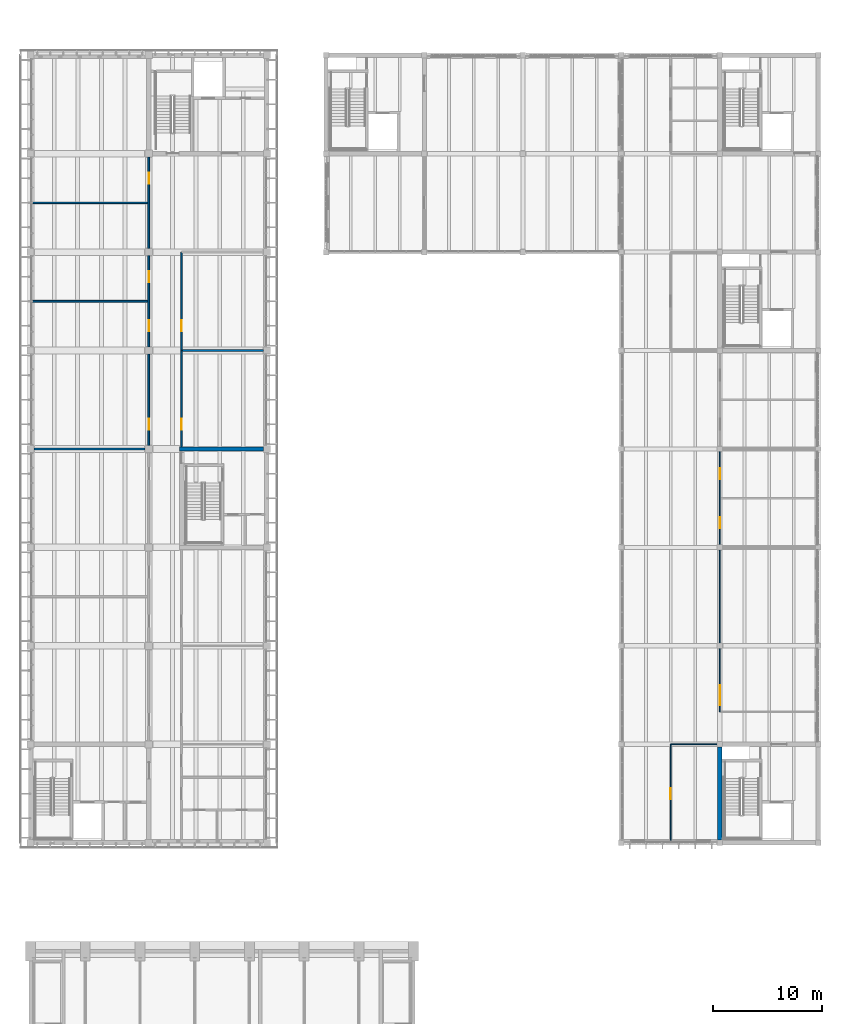
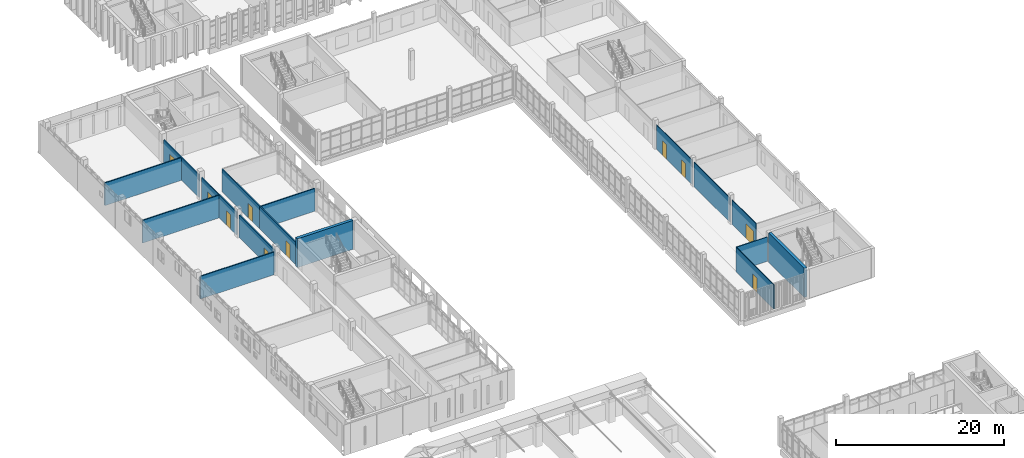
# One storey, part 53 of 92: 16 walls, 10 doors, 10 openings.
"""IFC4 building model written with IfcOpenShell, lengths in metres."""

from ifc_helpers import new_model, si_unit, direction, frame, frame_2d, origin, place, context, subcontext, project, spatial, rectangle, extrude, material, layer, layer_set, type_object, element, fill, save


model = new_model("IFC4")

# Units and contexts
model_context = context("Model", 3, precision=1e-05, world=origin(), true_north=direction((0.0, 1.0)))
body_context = subcontext(model_context, "Body", "Model", "MODEL_VIEW")
ifc_project = project(units=[si_unit("LENGTHUNIT", "METRE"), si_unit("AREAUNIT", "SQUARE_METRE"), si_unit("VOLUMEUNIT", "CUBIC_METRE"), si_unit("PLANEANGLEUNIT", "RADIAN"), si_unit("MASSUNIT", "GRAM", prefix="KILO")], contexts=[model_context])

# Site, building, storey
site_placement = place(None, origin())
site = spatial("IfcSite", under=ifc_project, at=site_placement, CompositionType="ELEMENT")
building_placement = place(site_placement, origin())
building = spatial("IfcBuilding", under=site, at=building_placement, Name="Merrow Basin Faculty of Sciences", CompositionType="ELEMENT")
storey_placement = place(building_placement, frame((0.0, 0.0, 4.5)))
storey = spatial("IfcBuildingStorey", under=building, at=storey_placement, Name="L01", CompositionType="ELEMENT", Elevation=4.5)

# Wall, opening, door
ifc_material_1 = material(Name="Fire-rated gypsum board")
ifc_layer_1 = layer(ifc_material_1, 0.14990234375)
ifc_layer_set_1 = layer_set([ifc_layer_1], Name="Corridor partition 150 fire-rated board on steel studs")
wall_type_1 = type_object("IfcWallType", Name="Corridor partition 150 fire-rated board on steel studs", PredefinedType="PARTITIONING", material=ifc_layer_set_1)
wall_1_placement = place(storey_placement, frame((13.800048828125, 106.0, 0.0), z_axis=(0.0, 0.0, 1.0), x_axis=(0.0, 1.0, 0.0)))
wall_1 = element("IfcWall", 1, at=wall_1_placement, inside=storey, type_object=wall_type_1, Name="IW151 L01 007", PredefinedType="PARTITIONING", context=body_context, shape_type="SweptSolid", body=[
    extrude(rectangle(XDim=9.0, YDim=0.14990234375, at=frame_2d((4.5, 0.0))), origin(), (0.0, 0.0, 1.0), 3.300048828125),
])
opening_1_placement = place(wall_1_placement, frame((1.75, 0.0, 0.0)))
opening_1 = element("IfcOpeningElement", 2, at=opening_1_placement, cuts=wall_1, Name="Opening D01B026", PredefinedType="OPENING", context=body_context, shape_type="SweptSolid", body=[
    extrude(rectangle(XDim=1.0, YDim=2.10009765625, at=frame_2d((0.5, 1.050048828125))), frame((0.0, 0.0849609375, 0.0), z_axis=(0.0, -1.0, 0.0), x_axis=(1.0, 0.0, 0.0)), (0.0, 0.0, 1.0), 0.169921875),
])
ifc_material_2 = material(Name="Timber door leaf", Category="wood")
door_type_1 = type_object("IfcDoorType", Name="Single swing door 1000 x 2100", OperationType="NOTDEFINED", PredefinedType="DOOR", material=ifc_material_2)
door_1_placement = place(opening_1_placement, origin())
door_1 = element("IfcDoor", 3, at=door_1_placement, inside=storey, type_object=door_type_1, Name="Door D01B026", OperationType="SINGLE_SWING_LEFT", OverallHeight=2.10009765625, OverallWidth=1.0, PredefinedType="DOOR", context=body_context, shape_type="SweptSolid", body=[
    extrude(rectangle(XDim=1.0, YDim=2.10009765625, at=frame_2d((0.5, 1.050048828125))), frame((0.0, 0.02490234375, 0.0), z_axis=(0.0, -1.0, 0.0), x_axis=(1.0, 0.0, 0.0)), (0.0, 0.0, 1.0), 0.050048828125),
])
fill(opening_1, door_1)

ifc_material_3 = material(Name="Fire-rated gypsum board")
ifc_layer_2 = layer(ifc_material_3, 0.14990234375)
ifc_layer_set_2 = layer_set([ifc_layer_2], Name="Laboratory partition 150 fire-rated board on steel studs")
wall_type_2 = type_object("IfcWallType", Name="Laboratory partition 150 fire-rated board on steel studs", PredefinedType="PARTITIONING", material=ifc_layer_set_2)
wall_2_placement = place(storey_placement, frame((10.800048828125, 97.324951171875, 0.0), z_axis=(0.0, 0.0, 1.0), x_axis=(0.0, 1.0, 0.0)))
wall_2 = element("IfcWall", 4, at=wall_2_placement, inside=storey, type_object=wall_type_2, Name="IW150 L01 016", PredefinedType="PARTITIONING", context=body_context, shape_type="SweptSolid", body=[
    extrude(rectangle(XDim=8.35009765625, YDim=0.14990234375, at=frame_2d((4.175048828125, 0.0))), origin(), (0.0, 0.0, 1.0), 3.300048828125),
])
opening_2_placement = place(wall_2_placement, frame((1.425048828125, 0.0, 0.0)))
opening_2 = element("IfcOpeningElement", 5, at=opening_2_placement, cuts=wall_2, Name="Opening D01B019", PredefinedType="OPENING", context=body_context, shape_type="SweptSolid", body=[
    extrude(rectangle(XDim=1.0, YDim=2.10009765625, at=frame_2d((0.5, 1.050048828125))), frame((0.0, 0.0849609375, 0.0), z_axis=(0.0, -1.0, 0.0), x_axis=(1.0, 0.0, 0.0)), (0.0, 0.0, 1.0), 0.169921875),
])
ifc_material_4 = material(Name="Fire-rated steel door", Category="steel")
door_type_2 = type_object("IfcDoorType", Name="Fire door FD60 1000 x 2100", OperationType="NOTDEFINED", PredefinedType="DOOR", material=ifc_material_4)
door_2_placement = place(opening_2_placement, origin())
door_2 = element("IfcDoor", 6, at=door_2_placement, inside=storey, type_object=door_type_2, Name="Door D01B019", OperationType="SINGLE_SWING_LEFT", OverallHeight=2.10009765625, OverallWidth=1.0, PredefinedType="DOOR", context=body_context, shape_type="SweptSolid", body=[
    extrude(rectangle(XDim=1.0, YDim=2.10009765625, at=frame_2d((0.5, 1.050048828125))), frame((0.0, 0.02490234375, 0.0), z_axis=(0.0, -1.0, 0.0), x_axis=(1.0, 0.0, 0.0)), (0.0, 0.0, 1.0), 0.050048828125),
])
fill(opening_2, door_2)

# Wall, openings, doors
wall_3_placement = place(storey_placement, frame((10.800048828125, 106.324951171875, 0.0), z_axis=(0.0, 0.0, 1.0), x_axis=(0.0, 1.0, 0.0)))
wall_3 = element("IfcWall", 7, at=wall_3_placement, inside=storey, type_object=wall_type_2, Name="IW150 L01 017", PredefinedType="PARTITIONING", context=body_context, shape_type="SweptSolid", body=[
    extrude(rectangle(XDim=8.35009765625, YDim=0.14990234375, at=frame_2d((4.175048828125, 0.0))), origin(), (0.0, 0.0, 1.0), 3.300048828125),
])
opening_3_placement = place(wall_3_placement, frame((1.425048828125, 0.0, 0.0)))
opening_3 = element("IfcOpeningElement", 8, at=opening_3_placement, cuts=wall_3, Name="Opening D01B020", PredefinedType="OPENING", context=body_context, shape_type="SweptSolid", body=[
    extrude(rectangle(XDim=1.0, YDim=2.10009765625, at=frame_2d((0.5, 1.050048828125))), frame((0.0, 0.0849609375, 0.0), z_axis=(0.0, -1.0, 0.0), x_axis=(1.0, 0.0, 0.0)), (0.0, 0.0, 1.0), 0.169921875),
])
opening_4_placement = place(wall_3_placement, frame((5.925048828125, 0.0, 0.0)))
opening_4 = element("IfcOpeningElement", 9, at=opening_4_placement, cuts=wall_3, Name="Opening D01B021", PredefinedType="OPENING", context=body_context, shape_type="SweptSolid", body=[
    extrude(rectangle(XDim=1.0, YDim=2.10009765625, at=frame_2d((0.5, 1.050048828125))), frame((0.0, 0.0849609375, 0.0), z_axis=(0.0, -1.0, 0.0), x_axis=(1.0, 0.0, 0.0)), (0.0, 0.0, 1.0), 0.169921875),
])
door_3_placement = place(opening_3_placement, origin())
door_3 = element("IfcDoor", 10, at=door_3_placement, inside=storey, type_object=door_type_2, Name="Door D01B020", OperationType="SINGLE_SWING_RIGHT", OverallHeight=2.10009765625, OverallWidth=1.0, PredefinedType="DOOR", context=body_context, shape_type="SweptSolid", body=[
    extrude(rectangle(XDim=1.0, YDim=2.10009765625, at=frame_2d((0.5, 1.050048828125))), frame((0.0, 0.02490234375, 0.0), z_axis=(0.0, -1.0, 0.0), x_axis=(1.0, 0.0, 0.0)), (0.0, 0.0, 1.0), 0.050048828125),
])
fill(opening_3, door_3)
door_4_placement = place(opening_4_placement, origin())
door_4 = element("IfcDoor", 11, at=door_4_placement, inside=storey, type_object=door_type_2, Name="Door D01B021", OperationType="SINGLE_SWING_LEFT", OverallHeight=2.10009765625, OverallWidth=1.0, PredefinedType="DOOR", context=body_context, shape_type="SweptSolid", body=[
    extrude(rectangle(XDim=1.0, YDim=2.10009765625, at=frame_2d((0.5, 1.050048828125))), frame((0.0, 0.02490234375, 0.0), z_axis=(0.0, -1.0, 0.0), x_axis=(1.0, 0.0, 0.0)), (0.0, 0.0, 1.0), 0.050048828125),
])
fill(opening_4, door_4)

# Wall, opening, door
wall_4_placement = place(storey_placement, frame((10.800048828125, 115.324951171875, 0.0), z_axis=(0.0, 0.0, 1.0), x_axis=(0.0, 1.0, 0.0)))
wall_4 = element("IfcWall", 12, at=wall_4_placement, inside=storey, type_object=wall_type_2, Name="IW150 L01 018", PredefinedType="PARTITIONING", context=body_context, shape_type="SweptSolid", body=[
    extrude(rectangle(XDim=8.35009765625, YDim=0.14990234375, at=frame_2d((4.175048828125, 0.0))), origin(), (0.0, 0.0, 1.0), 3.300048828125),
])
opening_5_placement = place(wall_4_placement, frame((5.925048828125, 0.0, 0.0)))
opening_5 = element("IfcOpeningElement", 13, at=opening_5_placement, cuts=wall_4, Name="Opening D01B022", PredefinedType="OPENING", context=body_context, shape_type="SweptSolid", body=[
    extrude(rectangle(XDim=1.0, YDim=2.10009765625, at=frame_2d((0.5, 1.050048828125))), frame((0.0, 0.0849609375, 0.0), z_axis=(0.0, -1.0, 0.0), x_axis=(1.0, 0.0, 0.0)), (0.0, 0.0, 1.0), 0.169921875),
])
door_5_placement = place(opening_5_placement, origin())
door_5 = element("IfcDoor", 14, at=door_5_placement, inside=storey, type_object=door_type_2, Name="Door D01B022", OperationType="SINGLE_SWING_LEFT", OverallHeight=2.10009765625, OverallWidth=1.0, PredefinedType="DOOR", context=body_context, shape_type="SweptSolid", body=[
    extrude(rectangle(XDim=1.0, YDim=2.10009765625, at=frame_2d((0.5, 1.050048828125))), frame((0.0, 0.02490234375, 0.0), z_axis=(0.0, -1.0, 0.0), x_axis=(1.0, 0.0, 0.0)), (0.0, 0.0, 1.0), 0.050048828125),
])
fill(opening_5, door_5)

wall_5_placement = place(storey_placement, frame((13.800048828125, 97.199951171875, 0.0), z_axis=(0.0, 0.0, 1.0), x_axis=(0.0, 1.0, 0.0)))
wall_5 = element("IfcWall", 15, at=wall_5_placement, inside=storey, type_object=wall_type_2, Name="IW150 L01 019", PredefinedType="PARTITIONING", context=body_context, shape_type="SweptSolid", body=[
    extrude(rectangle(XDim=8.800048828125, YDim=0.14990234375, at=frame_2d((4.39990234375, 0.0))), origin(), (0.0, 0.0, 1.0), 3.300048828125),
])
opening_6_placement = place(wall_5_placement, frame((1.550048828125, 0.0, 0.0)))
opening_6 = element("IfcOpeningElement", 16, at=opening_6_placement, cuts=wall_5, Name="Opening D01B025", PredefinedType="OPENING", context=body_context, shape_type="SweptSolid", body=[
    extrude(rectangle(XDim=1.0, YDim=2.10009765625, at=frame_2d((0.5, 1.050048828125))), frame((0.0, 0.0849609375, 0.0), z_axis=(0.0, -1.0, 0.0), x_axis=(1.0, 0.0, 0.0)), (0.0, 0.0, 1.0), 0.169921875),
])
door_6_placement = place(opening_6_placement, origin())
door_6 = element("IfcDoor", 17, at=door_6_placement, inside=storey, type_object=door_type_2, Name="Door D01B025", OperationType="SINGLE_SWING_LEFT", OverallHeight=2.10009765625, OverallWidth=1.0, PredefinedType="DOOR", context=body_context, shape_type="SweptSolid", body=[
    extrude(rectangle(XDim=1.0, YDim=2.10009765625, at=frame_2d((0.5, 1.050048828125))), frame((0.0, 0.02490234375, 0.0), z_axis=(0.0, -1.0, 0.0), x_axis=(1.0, 0.0, 0.0)), (0.0, 0.0, 1.0), 0.050048828125),
])
fill(opening_6, door_6)

# Walls
wall_6_placement = place(storey_placement, frame((0.324951171875, 97.0, 0.0), z_axis=(0.0, 0.0, 1.0), x_axis=(1.0, 0.0, 0.0)))
element("IfcWall", 18, at=wall_6_placement, inside=storey, type_object=wall_type_2, Name="IW150 L01 021", PredefinedType="PARTITIONING", context=body_context, shape_type="SweptSolid", body=[
    extrude(rectangle(XDim=10.150146484375, YDim=0.14990234375, at=frame_2d((5.0751953125, 0.0))), origin(), (0.0, 0.0, 1.0), 3.300048828125),
])
wall_7_placement = place(storey_placement, frame((13.875, 106.0, 0.0), z_axis=(0.0, 0.0, 1.0), x_axis=(1.0, 0.0, 0.0)))
element("IfcWall", 19, at=wall_7_placement, inside=storey, type_object=wall_type_2, Name="IW150 L01 022", PredefinedType="PARTITIONING", context=body_context, shape_type="SweptSolid", body=[
    extrude(rectangle(XDim=7.39990234375, YDim=0.14990234375, at=frame_2d((3.699951171875, 0.0))), origin(), (0.0, 0.0, 1.0), 3.300048828125),
])
for number, where, z_axis, x_axis, name in (
    (20, (0.179931640625, 110.5, 0.0), (0.0, 0.0, 1.0), (1.0, 0.0, 0.0), "IW150 L01 023"),
    (21, (0.179931640625, 119.5, 0.0), (0.0, 0.0, 1.0), (1.0, 0.0, 0.0), "IW150 L01 024"),
):
    element("IfcWall", number, at=place(storey_placement, frame(where, z_axis=z_axis, x_axis=x_axis)), inside=storey, type_object=wall_type_2, Name=name, PredefinedType="PARTITIONING", context=body_context, shape_type="SweptSolid", body=[
        extrude(rectangle(XDim=10.545166015625, YDim=0.14990234375, at=frame_2d((5.2724609375, 0.0))), origin(), (0.0, 0.0, 1.0), 3.300048828125),
    ])

# Wall, opening, door
ifc_material_5 = material(Name="Gypsum board")
ifc_layer_3 = layer(ifc_material_5, 0.10009765625)
ifc_layer_set_3 = layer_set([ifc_layer_3], Name="Partition 100 gypsum board on steel studs")
wall_type_3 = type_object("IfcWallType", Name="Partition 100 gypsum board on steel studs", PredefinedType="PARTITIONING", material=ifc_layer_set_3)
wall_8_placement = place(storey_placement, frame((58.5, 61.0, 0.0), z_axis=(0.0, 0.0, 1.0), x_axis=(0.0, 1.0, 0.0)))
wall_8 = element("IfcWall", 22, at=wall_8_placement, inside=storey, type_object=wall_type_3, Name="IW100 L01 010", PredefinedType="PARTITIONING", context=body_context, shape_type="SweptSolid", body=[
    extrude(rectangle(XDim=9.0, YDim=0.10009765625, at=frame_2d((4.5, 0.0))), origin(), (0.0, 0.0, 1.0), 3.550048828125),
])
opening_7_placement = place(wall_8_placement, frame((4.0, 0.0, 0.0)))
opening_7 = element("IfcOpeningElement", 23, at=opening_7_placement, cuts=wall_8, Name="Opening D01C014", PredefinedType="OPENING", context=body_context, shape_type="SweptSolid", body=[
    extrude(rectangle(XDim=1.0, YDim=2.10009765625, at=frame_2d((0.5, 1.050048828125))), frame((0.0, 0.06005859375, 0.0), z_axis=(0.0, -1.0, 0.0), x_axis=(1.0, 0.0, 0.0)), (0.0, 0.0, 1.0), 0.1201171875),
])
door_7_placement = place(opening_7_placement, origin())
door_7 = element("IfcDoor", 24, at=door_7_placement, inside=storey, type_object=door_type_1, Name="Door D01C014", OperationType="SINGLE_SWING_LEFT", OverallHeight=2.10009765625, OverallWidth=1.0, PredefinedType="DOOR", context=body_context, shape_type="SweptSolid", body=[
    extrude(rectangle(XDim=1.0, YDim=2.10009765625, at=frame_2d((0.5, 1.050048828125))), frame((0.0, 0.02490234375, 0.0), z_axis=(0.0, -1.0, 0.0), x_axis=(1.0, 0.0, 0.0)), (0.0, 0.0, 1.0), 0.050048828125),
])
fill(opening_7, door_7)

# Wall
wall_9_placement = place(storey_placement, frame((63.0, 79.25, 0.0), z_axis=(0.0, 0.0, 1.0), x_axis=(0.0, 1.0, 0.0)))
element("IfcWall", 25, at=wall_9_placement, inside=storey, type_object=wall_type_3, Name="IW100 L01 012", PredefinedType="PARTITIONING", context=body_context, shape_type="SweptSolid", body=[
    extrude(rectangle(XDim=8.5, YDim=0.10009765625, at=frame_2d((4.25, 0.0))), origin(), (0.0, 0.0, 1.0), 3.550048828125),
])

# Wall, openings, doors
wall_10_placement = place(storey_placement, frame((63.0, 88.25, 0.0), z_axis=(0.0, 0.0, 1.0), x_axis=(0.0, 1.0, 0.0)))
wall_10 = element("IfcWall", 26, at=wall_10_placement, inside=storey, type_object=wall_type_3, Name="IW100 L01 013", PredefinedType="PARTITIONING", context=body_context, shape_type="SweptSolid", body=[
    extrude(rectangle(XDim=8.5, YDim=0.10009765625, at=frame_2d((4.25, 0.0))), origin(), (0.0, 0.0, 1.0), 3.550048828125),
])
opening_8_placement = place(wall_10_placement, frame((1.5, 0.0, 0.0)))
opening_8 = element("IfcOpeningElement", 27, at=opening_8_placement, cuts=wall_10, Name="Opening D01C017", PredefinedType="OPENING", context=body_context, shape_type="SweptSolid", body=[
    extrude(rectangle(XDim=1.0, YDim=2.10009765625, at=frame_2d((0.5, 1.050048828125))), frame((0.0, 0.06005859375, 0.0), z_axis=(0.0, -1.0, 0.0), x_axis=(1.0, 0.0, 0.0)), (0.0, 0.0, 1.0), 0.1201171875),
])
opening_9_placement = place(wall_10_placement, frame((6.0, 0.0, 0.0)))
opening_9 = element("IfcOpeningElement", 28, at=opening_9_placement, cuts=wall_10, Name="Opening D01C018", PredefinedType="OPENING", context=body_context, shape_type="SweptSolid", body=[
    extrude(rectangle(XDim=1.0, YDim=2.10009765625, at=frame_2d((0.5, 1.050048828125))), frame((0.0, 0.06005859375, 0.0), z_axis=(0.0, -1.0, 0.0), x_axis=(1.0, 0.0, 0.0)), (0.0, 0.0, 1.0), 0.1201171875),
])
door_8_placement = place(opening_8_placement, origin())
door_8 = element("IfcDoor", 29, at=door_8_placement, inside=storey, type_object=door_type_1, Name="Door D01C017", OperationType="SINGLE_SWING_LEFT", OverallHeight=2.10009765625, OverallWidth=1.0, PredefinedType="DOOR", context=body_context, shape_type="SweptSolid", body=[
    extrude(rectangle(XDim=1.0, YDim=2.10009765625, at=frame_2d((0.5, 1.050048828125))), frame((0.0, 0.02490234375, 0.0), z_axis=(0.0, -1.0, 0.0), x_axis=(1.0, 0.0, 0.0)), (0.0, 0.0, 1.0), 0.050048828125),
])
fill(opening_8, door_8)
door_9_placement = place(opening_9_placement, origin())
door_9 = element("IfcDoor", 30, at=door_9_placement, inside=storey, type_object=door_type_1, Name="Door D01C018", OperationType="SINGLE_SWING_LEFT", OverallHeight=2.10009765625, OverallWidth=1.0, PredefinedType="DOOR", context=body_context, shape_type="SweptSolid", body=[
    extrude(rectangle(XDim=1.0, YDim=2.10009765625, at=frame_2d((0.5, 1.050048828125))), frame((0.0, 0.02490234375, 0.0), z_axis=(0.0, -1.0, 0.0), x_axis=(1.0, 0.0, 0.0)), (0.0, 0.0, 1.0), 0.050048828125),
])
fill(opening_9, door_9)

# Wall, opening, door
wall_11_placement = place(storey_placement, frame((63.0, 73.0, 0.0), z_axis=(0.0, 0.0, 1.0), x_axis=(0.0, 1.0, 0.0)))
wall_11 = element("IfcWall", 31, at=wall_11_placement, inside=storey, type_object=wall_type_3, Name="IW100 L01 015", PredefinedType="PARTITIONING", context=body_context, shape_type="SweptSolid", body=[
    extrude(rectangle(XDim=5.75, YDim=0.10009765625, at=frame_2d((2.875, 0.0))), origin(), (0.0, 0.0, 1.0), 3.550048828125),
])
opening_10_placement = place(wall_11_placement, frame((0.60009765625, 0.0, 0.0)))
opening_10 = element("IfcOpeningElement", 32, at=opening_10_placement, cuts=wall_11, Name="Opening D01C016", PredefinedType="OPENING", context=body_context, shape_type="SweptSolid", body=[
    extrude(rectangle(XDim=1.800048828125, YDim=2.10009765625, at=frame_2d((0.89990234375, 1.050048828125))), frame((0.0, 0.06005859375, 0.0), z_axis=(0.0, -1.0, 0.0), x_axis=(1.0, 0.0, 0.0)), (0.0, 0.0, 1.0), 0.1201171875),
])
ifc_material_6 = material(Name="Glazed aluminium door", Category="aluminium")
door_type_3 = type_object("IfcDoorType", Name="Double swing door 1800 x 2100", OperationType="NOTDEFINED", PredefinedType="DOOR", material=ifc_material_6)
door_10_placement = place(opening_10_placement, origin())
door_10 = element("IfcDoor", 33, at=door_10_placement, inside=storey, type_object=door_type_3, Name="Door D01C016", OperationType="DOUBLE_DOOR_SINGLE_SWING", OverallHeight=2.10009765625, OverallWidth=1.800048828125, PredefinedType="DOOR", context=body_context, shape_type="SweptSolid", body=[
    extrude(rectangle(XDim=1.800048828125, YDim=2.10009765625, at=frame_2d((0.89990234375, 1.050048828125))), frame((0.0, 0.02490234375, 0.0), z_axis=(0.0, -1.0, 0.0), x_axis=(1.0, 0.0, 0.0)), (0.0, 0.0, 1.0), 0.050048828125),
])
fill(opening_10, door_10)

# Walls
wall_12_placement = place(storey_placement, frame((58.5, 70.0, 0.0), z_axis=(0.0, 0.0, 1.0), x_axis=(1.0, 0.0, 0.0)))
element("IfcWall", 34, at=wall_12_placement, inside=storey, type_object=wall_type_3, Name="IW100 L01 016", PredefinedType="PARTITIONING", context=body_context, shape_type="SweptSolid", body=[
    extrude(rectangle(XDim=4.25, YDim=0.10009765625, at=frame_2d((2.125, 0.0))), origin(), (0.0, 0.0, 1.0), 3.550048828125),
])
ifc_material_7 = material(Name="Concrete C40/50", Category="concrete")
ifc_layer_4 = layer(ifc_material_7, 0.39990234375)
ifc_layer_set_4 = layer_set([ifc_layer_4], Name="Shear wall 400 Concrete C40/50")
wall_type_4 = type_object("IfcWallType", Name="Shear wall 400 Concrete C40/50", PredefinedType="SHEAR", material=ifc_layer_set_4)
wall_13_placement = place(storey_placement, frame((13.60009765625, 97.0, 0.0), z_axis=(0.0, 0.0, 1.0), x_axis=(1.0, 0.0, 0.0)))
element("IfcWall", 35, at=wall_13_placement, inside=storey, type_object=wall_type_4, Name="SW1 L01 010", PredefinedType="SHEAR", context=body_context, shape_type="SweptSolid", body=[
    extrude(rectangle(XDim=7.6748046875, YDim=0.39990234375, at=frame_2d((3.83740234375, 0.0))), origin(), (0.0, 0.0, 1.0), 4.199951171875),
])
wall_14_placement = place(storey_placement, frame((63.0, 61.25, 0.0), z_axis=(0.0, 0.0, 1.0), x_axis=(0.0, 1.0, 0.0)))
element("IfcWall", 36, at=wall_14_placement, inside=storey, type_object=wall_type_4, Name="SW1 L01 011", PredefinedType="SHEAR", context=body_context, shape_type="SweptSolid", body=[
    extrude(rectangle(XDim=8.5, YDim=0.39990234375, at=frame_2d((4.25, 0.0))), origin(), (0.0, 0.0, 1.0), 4.25),
])

save(model, "model.ifc")
